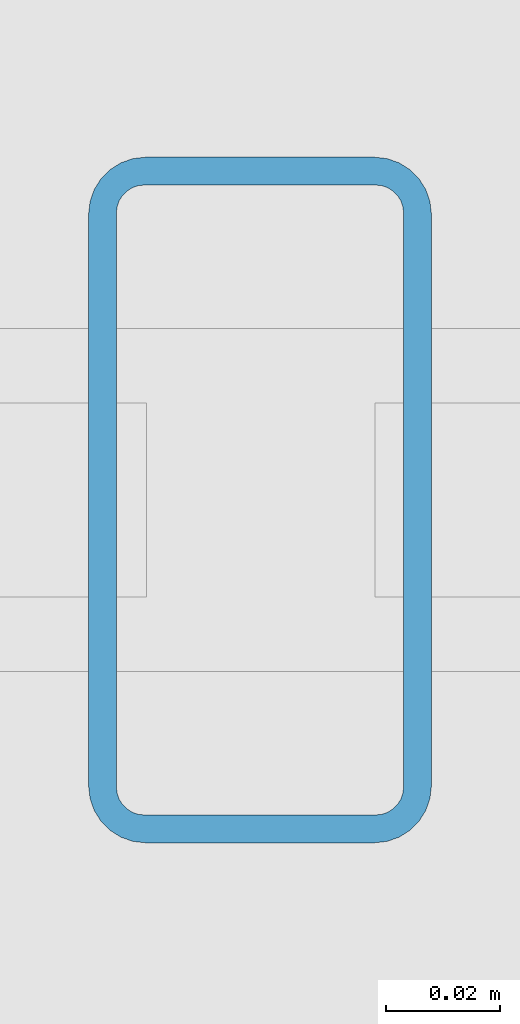
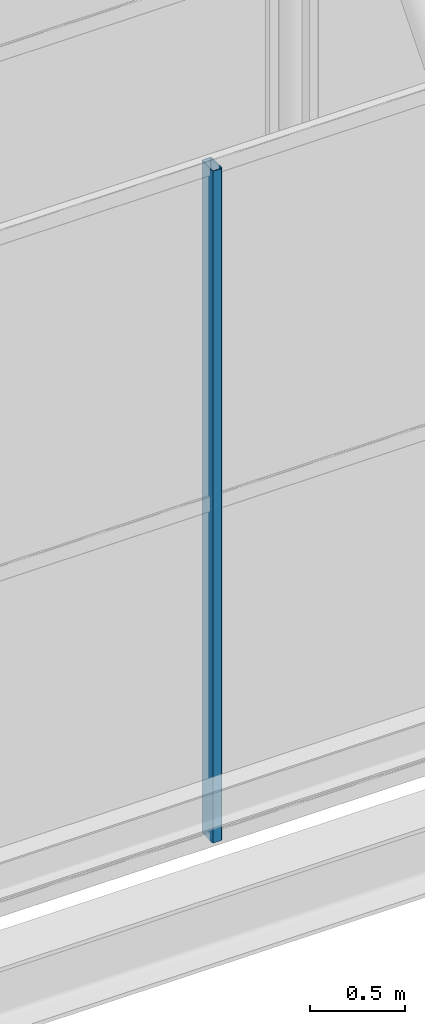
# One storey, part 26 of 77: 1 member, 1 element without a shape of its own.
"""IFC4 building model written with IfcOpenShell, lengths in metres."""

from ifc_helpers import new_model, si_unit, derived_unit, direction, frame, origin, origin_2d, place, context, subcontext, project, spatial, hollow_rectangle, extrude, material, material_profile, profile_set, type_object, element, aggregate, save


model = new_model("IFC4")

# Units and contexts
model_context = context("Model", 3, precision=1e-05, world=origin(), true_north=direction((0.0, 1.0)))
body_context = subcontext(model_context, "Body", "Model", "MODEL_VIEW")
ifc_project = project(units=[si_unit("LENGTHUNIT", "METRE"), si_unit("AREAUNIT", "SQUARE_METRE"), si_unit("VOLUMEUNIT", "CUBIC_METRE"), si_unit("PLANEANGLEUNIT", "RADIAN"), si_unit("MASSUNIT", "GRAM", prefix="KILO"), derived_unit("THERMALTRANSMITTANCEUNIT", [(si_unit("MASSUNIT", "GRAM", prefix="KILO"), 1), (si_unit("TIMEUNIT", "SECOND"), -3), (si_unit("THERMODYNAMICTEMPERATUREUNIT", "KELVIN"), -1)])], contexts=[model_context])

# Site, building, storey
site_placement = place(None, origin())
site = spatial("IfcSite", under=ifc_project, at=site_placement, CompositionType="ELEMENT")
building_placement = place(site_placement, origin())
building = spatial("IfcBuilding", under=site, at=building_placement, Name="Kharveza Railside Sports Centre", CompositionType="ELEMENT")
storey_placement = place(building_placement, frame((0.0, 0.0, 17.10009765625)))
storey = spatial("IfcBuildingStorey", under=building, at=storey_placement, Name="L04", CompositionType="ELEMENT", Elevation=17.10009765625)

# Curtain wall, member
ifc_material_1 = material(Name="Low-E solar-control laminated glass", Category="glass")
curtain_wall_type = type_object("IfcCurtainWallType", Name="CW-NL01", PredefinedType="NOTDEFINED", material=ifc_material_1)
curtain_wall_placement = place(storey_placement, origin())
curtain_wall = element("IfcCurtainWall", 1, at=curtain_wall_placement, inside=storey, type_object=curtain_wall_type, Name="CW-V1NL-4-3", PredefinedType="NOTDEFINED")
ifc_material_2 = material(Name="Anodised aluminium 6063-T6", Category="aluminium")
ifc_material_profile = material_profile(ifc_material_2, hollow_rectangle(XDim=0.06005859375, YDim=0.1201171875, WallThickness=0.0048828125, InnerFilletRadius=0.0048828125, OuterFilletRadius=0.010009765625, at=origin_2d()), Name="RHS 60x120x5.0")
ifc_profile_set = profile_set([ifc_material_profile], Name="Anodised aluminium 6063-T6")
member_type = type_object("IfcMemberType", Name="CW-ML05", PredefinedType="MULLION", material=ifc_profile_set)
member_placement = place(storey_placement, frame((55.9599609375, 52.45703125, -0.550048828125), z_axis=(0.0, 0.0, 1.0), x_axis=(1.0, 0.0, 0.0)))
member = element("IfcMember", 2, at=member_placement, type_object=member_type, Name="CW-V1NL-4-3-ML3", PredefinedType="MULLION", context=body_context, shape_type="SweptSolid", body=[
    extrude(hollow_rectangle(XDim=0.06005859375, YDim=0.1201171875, WallThickness=0.0048828125, InnerFilletRadius=0.0048828125, OuterFilletRadius=0.010009765625, at=origin_2d()), origin(), (0.0, 0.0, 1.0), 4.300048828125),
])
aggregate(curtain_wall, [member])

save(model, "model.ifc")
